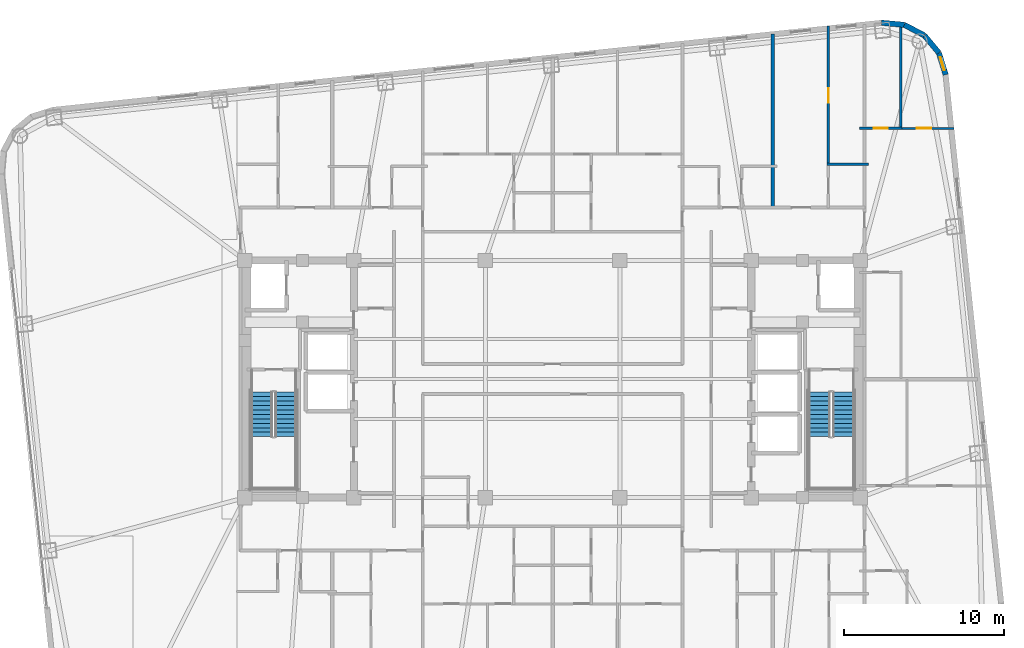
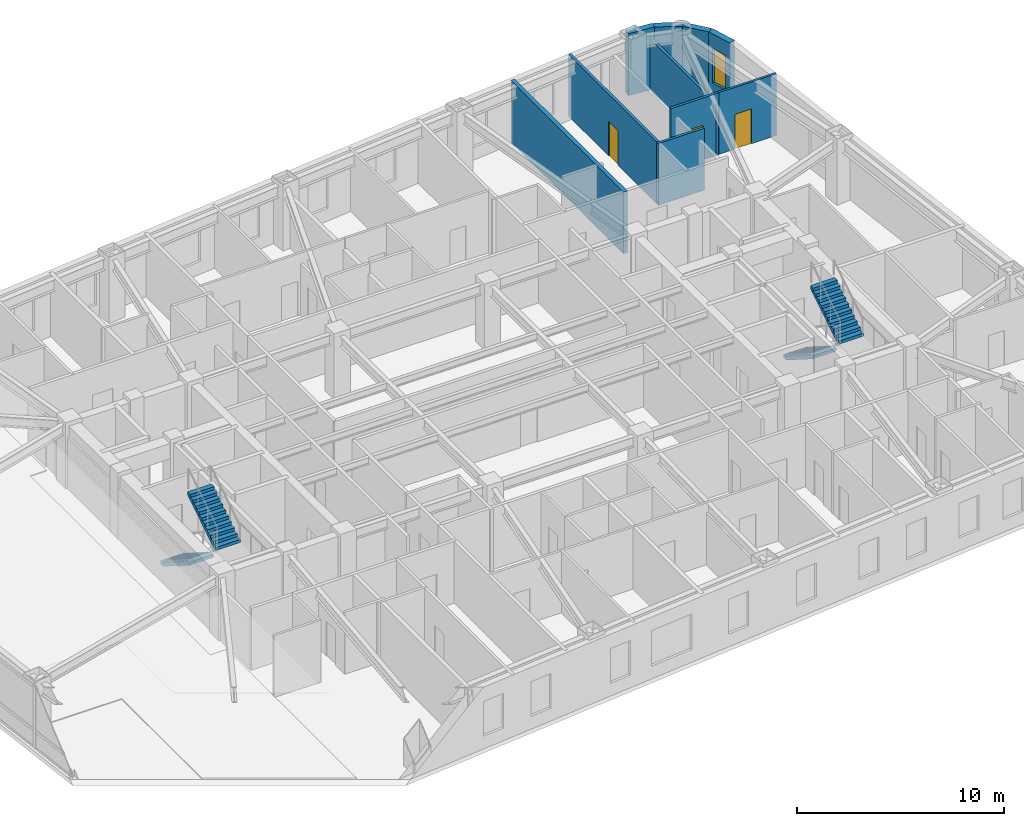
# One storey, part 12 of 15: 10 walls, 4 stair flights, 3 doors, 1 window, 4 openings, 2 elements without a shape of their own.
"""IFC4 building model written with IfcOpenShell, lengths in metres."""

from ifc_helpers import new_model, si_unit, direction, frame, frame_2d, origin, place, context, subcontext, project, spatial, polyline, rectangle, outline, extrude, material, layer, layer_set, type_object, element, fill, aggregate, save


model = new_model("IFC4")

# Units and contexts
model_context = context("Model", 3, precision=1e-05, world=origin(), true_north=direction((0.0, 1.0)))
body_context = subcontext(model_context, "Body", "Model", "MODEL_VIEW")
ifc_project = project(units=[si_unit("LENGTHUNIT", "METRE"), si_unit("AREAUNIT", "SQUARE_METRE"), si_unit("VOLUMEUNIT", "CUBIC_METRE"), si_unit("PLANEANGLEUNIT", "RADIAN"), si_unit("MASSUNIT", "GRAM", prefix="KILO")], contexts=[model_context])

# Site, building, storey
site_placement = place(None, origin())
site = spatial("IfcSite", under=ifc_project, at=site_placement, CompositionType="ELEMENT")
building_placement = place(site_placement, origin())
building = spatial("IfcBuilding", under=site, at=building_placement, Name="Voryun Gate Residences", CompositionType="ELEMENT")
storey_placement = place(building_placement, frame((0.0, 0.0, 148.199951171875)))
storey = spatial("IfcBuildingStorey", under=building, at=storey_placement, Name="L36", CompositionType="ELEMENT", Elevation=148.199951171875)

# Walls
ifc_material_1 = material(Name="Charcoal terracotta masonry", Category="masonry")
ifc_layer_1 = layer(ifc_material_1, 0.340087890625, Name="W_EXT_TERRACOTTA_340")
ifc_layer_set_1 = layer_set([ifc_layer_1], Name="Charcoal terracotta masonry")
wall_type_1 = type_object("IfcWallType", Name="W_EXT_TERRACOTTA_340", PredefinedType="ELEMENTEDWALL", material=ifc_layer_set_1)
wall_1_placement = place(storey_placement, frame((20.5263671875, 22.235107421875, 0.0), z_axis=(0.0, 0.0, 1.0), x_axis=(0.995800460351, -0.091550222087, 0.0)))
element("IfcWall", 1, at=wall_1_placement, inside=storey, type_object=wall_type_1, Name="Exterior wall WEXT-L36-12", PredefinedType="ELEMENTEDWALL", context=body_context, shape_type="SweptSolid", body=[
    extrude(rectangle(XDim=1.43212890625, YDim=0.340087890625, at=frame_2d((0.716064453125, 0.0))), origin(), (0.0, 0.0, 1.0), 3.650146484375),
])
wall_2_placement = place(storey_placement, frame((21.952392578125, 22.10400390625, 0.0), z_axis=(0.0, 0.0, 1.0), x_axis=(0.885023004245, -0.465547292933, 0.0)))
element("IfcWall", 2, at=wall_2_placement, inside=storey, type_object=wall_type_1, Name="Exterior wall WEXT-L36-13", PredefinedType="ELEMENTEDWALL", context=body_context, shape_type="SweptSolid", body=[
    extrude(rectangle(XDim=1.414794921875, YDim=0.340087890625, at=frame_2d((0.70751953125, 0.0))), origin(), (0.0, 0.0, 1.0), 3.650146484375),
])
wall_3_placement = place(storey_placement, frame((23.20458984375, 21.4453125, 0.0), z_axis=(0.0, 0.0, 1.0), x_axis=(0.639539337522, -0.768758372808, 0.0)))
element("IfcWall", 3, at=wall_3_placement, inside=storey, type_object=wall_type_1, Name="Exterior wall WEXT-L36-14", PredefinedType="ELEMENTEDWALL", context=body_context, shape_type="SweptSolid", body=[
    extrude(rectangle(XDim=1.4150390625, YDim=0.340087890625, at=frame_2d((0.70751953125, 0.0))), origin(), (0.0, 0.0, 1.0), 3.650146484375),
])

# Wall, opening, window
wall_4_placement = place(storey_placement, frame((24.109619140625, 20.357421875, 0.0), z_axis=(0.0, 0.0, 1.0), x_axis=(0.296420660287, -0.955057481074, 0.0)))
wall_4 = element("IfcWall", 4, at=wall_4_placement, inside=storey, type_object=wall_type_1, Name="Exterior wall WEXT-L36-15", PredefinedType="ELEMENTEDWALL", context=body_context, shape_type="SweptSolid", body=[
    extrude(rectangle(XDim=1.432373046875, YDim=0.340087890625, at=frame_2d((0.71630859375, 0.0))), origin(), (0.0, 0.0, 1.0), 3.650146484375),
])
opening_1_placement = place(wall_4_placement, frame((0.291015625, 0.0, 0.75)))
opening_1 = element("IfcOpeningElement", 5, at=opening_1_placement, cuts=wall_4, Name="Opening WN9", PredefinedType="OPENING", context=body_context, shape_type="SweptSolid", body=[
    extrude(rectangle(XDim=0.85009765625, YDim=2.050048828125, at=frame_2d((0.425048828125, 1.02490234375))), frame((0.0, 0.179931640625, 0.0), z_axis=(0.0, -1.0, 0.0), x_axis=(1.0, 0.0, 0.0)), (0.0, 0.0, 1.0), 0.360107421875),
])
ifc_material_2 = material(Name="Laminated low-E glass", Category="glass")
window_type = type_object("IfcWindowType", Name="WN_RES_CASEMENT_850", PartitioningType="SINGLE_PANEL", PredefinedType="WINDOW", material=ifc_material_2)
window_placement = place(opening_1_placement, origin())
window = element("IfcWindow", 6, at=window_placement, inside=storey, type_object=window_type, Name="Window WN-L36-DWFIX-21", OverallHeight=2.050048828125, OverallWidth=0.85009765625, PartitioningType="SINGLE_PANEL", PredefinedType="WINDOW", context=body_context, shape_type="SweptSolid", body=[
    extrude(rectangle(XDim=0.85009765625, YDim=2.050048828125, at=frame_2d((0.425048828125, 1.02490234375))), frame((0.0, 0.030029296875, 0.0), z_axis=(0.0, -1.0, 0.0), x_axis=(1.0, 0.0, 0.0)), (0.0, 0.0, 1.0), 0.06005859375),
])
fill(opening_1, window)

# Wall
ifc_material_3 = material(Name="Concrete C40/50", Category="concrete")
ifc_layer_2 = layer(ifc_material_3, 0.219970703125, Name="W_PARTY_ACOUSTIC_220")
ifc_layer_set_2 = layer_set([ifc_layer_2], Name="Concrete C40/50")
wall_type_2 = type_object("IfcWallType", Name="W_PARTY_ACOUSTIC_220", PredefinedType="PARTITIONING", material=ifc_layer_set_2)
wall_5_placement = place(storey_placement, frame((13.739990234375, 10.6201171875, 0.0), z_axis=(0.0, 0.0, 1.0), x_axis=(0.0, 1.0, 0.0)))
element("IfcWall", 7, at=wall_5_placement, inside=storey, type_object=wall_type_2, Name="Partition wall WP-L36-NPTY-4", PredefinedType="PARTITIONING", context=body_context, shape_type="SweptSolid", body=[
    extrude(rectangle(XDim=10.90185546875, YDim=0.219970703125, at=frame_2d((5.450927734375, 0.0))), origin(), (0.0, 0.0, 1.0), 3.650146484375),
])

# Wall, opening, door
ifc_material_4 = material(Name="Gypsum acoustic partition")
ifc_layer_3 = layer(ifc_material_4, 0.125, Name="W_UNIT_PART_125")
ifc_layer_set_3 = layer_set([ifc_layer_3], Name="Gypsum acoustic partition")
wall_type_3 = type_object("IfcWallType", Name="W_UNIT_PART_125", PredefinedType="PARTITIONING", material=ifc_layer_set_3)
wall_6_placement = place(storey_placement, frame((21.6689453125, 15.64208984375, 0.0), z_axis=(0.0, 0.0, 1.0), x_axis=(1.0, 0.0, 0.0)))
wall_6 = element("IfcWall", 8, at=wall_6_placement, inside=storey, type_object=wall_type_3, Name="Partition wall WP-L36-E2-OHZ", PredefinedType="PARTITIONING", context=body_context, shape_type="SweptSolid", body=[
    extrude(rectangle(XDim=3.367919921875, YDim=0.125, at=frame_2d((1.68408203125, 0.0))), origin(), (0.0, 0.0, 1.0), 3.650146484375),
])
opening_2_placement = place(wall_6_placement, frame((1.065673828125, 0.0, 0.0)))
opening_2 = element("IfcOpeningElement", 9, at=opening_2_placement, cuts=wall_6, Name="Opening D-INT-2", PredefinedType="OPENING", context=body_context, shape_type="SweptSolid", body=[
    extrude(rectangle(XDim=0.89990234375, YDim=2.050048828125, at=frame_2d((0.449951171875, 1.02490234375))), frame((0.0, 0.072509765625, 0.0), z_axis=(0.0, -1.0, 0.0), x_axis=(1.0, 0.0, 0.0)), (0.0, 0.0, 1.0), 0.14501953125),
])
ifc_material_5 = material(Name="Architectural oak veneer")
door_type = type_object("IfcDoorType", Name="DR_INT_BATH_900", OperationType="NOTDEFINED", PredefinedType="DOOR", material=ifc_material_5)
door_1_placement = place(opening_2_placement, origin())
door_1 = element("IfcDoor", 10, at=door_1_placement, inside=storey, type_object=door_type, Name="Door DR-L36-E2-DMB", OperationType="SINGLE_SWING_LEFT", OverallHeight=2.050048828125, OverallWidth=0.89990234375, PredefinedType="DOOR", context=body_context, shape_type="SweptSolid", body=[
    extrude(rectangle(XDim=0.89990234375, YDim=2.050048828125, at=frame_2d((0.449951171875, 1.02490234375))), frame((0.0, 0.02490234375, 0.0), z_axis=(0.0, -1.0, 0.0), x_axis=(1.0, 0.0, 0.0)), (0.0, 0.0, 1.0), 0.050048828125),
])
fill(opening_2, door_1)

# Wall
ifc_material_6 = material(Name="Gypsum moisture-resistant partition")
ifc_layer_4 = layer(ifc_material_6, 0.14990234375, Name="W_WET_PLUMB_150")
ifc_layer_set_4 = layer_set([ifc_layer_4], Name="Gypsum moisture-resistant partition")
wall_type_4 = type_object("IfcWallType", Name="W_WET_PLUMB_150", PredefinedType="PLUMBINGWALL", material=ifc_layer_set_4)
wall_7_placement = place(storey_placement, frame((17.135986328125, 13.39990234375, 0.0), z_axis=(0.0, 0.0, 1.0), x_axis=(1.0, 0.0, 0.0)))
element("IfcWall", 11, at=wall_7_placement, inside=storey, type_object=wall_type_4, Name="Partition wall WP-L36-N5-SKB", PredefinedType="PLUMBINGWALL", context=body_context, shape_type="SweptSolid", body=[
    extrude(rectangle(XDim=2.583984375, YDim=0.14990234375, at=frame_2d((1.2919921875, 0.0))), origin(), (0.0, 0.0, 1.0), 3.650146484375),
])

# Wall, opening, door
wall_8_placement = place(storey_placement, frame((17.216064453125, 13.360107421875, 0.0), z_axis=(0.0, 0.0, 1.0), x_axis=(0.0, 1.0, 0.0)))
wall_8 = element("IfcWall", 12, at=wall_8_placement, inside=storey, type_object=wall_type_4, Name="Partition wall WP-L36-N5-SVT2", PredefinedType="PLUMBINGWALL", context=body_context, shape_type="SweptSolid", body=[
    extrude(rectangle(XDim=8.677978515625, YDim=0.14990234375, at=frame_2d((4.3388671875, 0.0))), origin(), (0.0, 0.0, 1.0), 3.650146484375),
])
opening_3_placement = place(wall_8_placement, frame((3.88916015625, 0.0, 0.0)))
opening_3 = element("IfcOpeningElement", 13, at=opening_3_placement, cuts=wall_8, Name="Opening D-INT-2", PredefinedType="OPENING", context=body_context, shape_type="SweptSolid", body=[
    extrude(rectangle(XDim=0.89990234375, YDim=2.050048828125, at=frame_2d((0.449951171875, 1.02490234375))), frame((0.0, 0.0849609375, 0.0), z_axis=(0.0, -1.0, 0.0), x_axis=(1.0, 0.0, 0.0)), (0.0, 0.0, 1.0), 0.169921875),
])
door_2_placement = place(opening_3_placement, origin())
door_2 = element("IfcDoor", 14, at=door_2_placement, inside=storey, type_object=door_type, Name="Door DR-L36-N5-DK", OperationType="SINGLE_SWING_RIGHT", OverallHeight=2.050048828125, OverallWidth=0.89990234375, PredefinedType="DOOR", context=body_context, shape_type="SweptSolid", body=[
    extrude(rectangle(XDim=0.89990234375, YDim=2.050048828125, at=frame_2d((0.449951171875, 1.02490234375))), frame((0.0, 0.02490234375, 0.0), z_axis=(0.0, -1.0, 0.0), x_axis=(1.0, 0.0, 0.0)), (0.0, 0.0, 1.0), 0.050048828125),
])
fill(opening_3, door_2)

wall_9_placement = place(storey_placement, frame((19.14990234375, 15.64208984375, 0.0), z_axis=(0.0, 0.0, 1.0), x_axis=(1.0, 0.0, 0.0)))
wall_9 = element("IfcWall", 15, at=wall_9_placement, inside=storey, type_object=wall_type_4, Name="Partition wall WP-L36-E2-IBB", PredefinedType="PLUMBINGWALL", context=body_context, shape_type="SweptSolid", body=[
    extrude(rectangle(XDim=2.6591796875, YDim=0.14990234375, at=frame_2d((1.32958984375, 0.0))), origin(), (0.0, 0.0, 1.0), 3.650146484375),
])
opening_4_placement = place(wall_9_placement, frame((0.87939453125, 0.0, 0.0)))
opening_4 = element("IfcOpeningElement", 16, at=opening_4_placement, cuts=wall_9, Name="Opening D-INT-2", PredefinedType="OPENING", context=body_context, shape_type="SweptSolid", body=[
    extrude(rectangle(XDim=0.89990234375, YDim=2.050048828125, at=frame_2d((0.449951171875, 1.02490234375))), frame((0.0, 0.0849609375, 0.0), z_axis=(0.0, -1.0, 0.0), x_axis=(1.0, 0.0, 0.0)), (0.0, 0.0, 1.0), 0.169921875),
])
door_3_placement = place(opening_4_placement, origin())
door_3 = element("IfcDoor", 17, at=door_3_placement, inside=storey, type_object=door_type, Name="Door DR-L36-E2-DB", OperationType="SINGLE_SWING_RIGHT", OverallHeight=2.050048828125, OverallWidth=0.89990234375, PredefinedType="DOOR", context=body_context, shape_type="SweptSolid", body=[
    extrude(rectangle(XDim=0.89990234375, YDim=2.050048828125, at=frame_2d((0.449951171875, 1.02490234375))), frame((0.0, 0.02490234375, 0.0), z_axis=(0.0, -1.0, 0.0), x_axis=(1.0, 0.0, 0.0)), (0.0, 0.0, 1.0), 0.050048828125),
])
fill(opening_4, door_3)

# Wall
wall_10_placement = place(storey_placement, frame((21.72900390625, 15.56201171875, 0.0), z_axis=(0.0, 0.0, 1.0), x_axis=(0.0, 1.0, 0.0)))
element("IfcWall", 18, at=wall_10_placement, inside=storey, type_object=wall_type_4, Name="Partition wall WP-L36-E2-VTB", PredefinedType="PLUMBINGWALL", context=body_context, shape_type="SweptSolid", body=[
    extrude(rectangle(XDim=6.71337890625, YDim=0.14990234375, at=frame_2d((3.356689453125, 0.0))), origin(), (0.0, 0.0, 1.0), 3.0400390625),
])

# Stair, stair flights
ifc_material_7 = material(Name="Concrete C40/50", Category="concrete")
stair_type = type_object("IfcStairType", Name="STR_CORE_DOGLEG_1350", PredefinedType="HALF_TURN_STAIR", material=ifc_material_7)
stair_1_placement = place(storey_placement, origin())
stair_1 = element("IfcStair", 19, at=stair_1_placement, inside=storey, type_object=stair_type, Name="L36 Special Escape Stair ST-W1", PredefinedType="HALF_TURN_STAIR")
ifc_material_8 = material(Name="Concrete C40/50", Category="concrete")
stair_flight_type = type_object("IfcStairFlightType", Name="FLT_CORE_1350", PredefinedType="STRAIGHT", material=ifc_material_8)
stair_flight_1_placement = place(storey_placement, frame((-18.14990234375, -0.800048828125, 0.0), z_axis=(0.0, 0.0, 1.0), x_axis=(0.0, -1.0, 0.0)))
stair_flight_1 = element("IfcStairFlight", 20, at=stair_flight_1_placement, type_object=stair_flight_type, Name="ST-W1 flight 1", NumberOfRisers=11, NumberOfTreads=10, PredefinedType="STRAIGHT", RiserHeight=0.177272727, TreadLength=0.28, context=body_context, shape_type="SweptSolid", body=[
    extrude(outline(polyline([(0.0, 0.0), (0.0, 0.17724609375), (0.280029296875, 0.17724609375), (0.280029296875, 0.3544921875), (0.56005859375, 0.3544921875), (0.56005859375, 0.53173828125), (0.840087890625, 0.53173828125), (0.840087890625, 0.708984375), (1.1201171875, 0.708984375), (1.1201171875, 0.886474609375), (1.39990234375, 0.886474609375), (1.39990234375, 1.063720703125), (1.679931640625, 1.063720703125), (1.679931640625, 1.240966796875), (1.9599609375, 1.240966796875), (1.9599609375, 1.418212890625), (2.239990234375, 1.418212890625), (2.239990234375, 1.595458984375), (2.52001953125, 1.595458984375), (2.52001953125, 1.772705078125), (2.800048828125, 1.772705078125), (2.800048828125, 1.949951171875), (2.800048828125, 1.59521484375), (0.2802734375, 0.0), (0.0, 0.0)])), frame((0.0, 0.675048828125, 0.0), z_axis=(0.0, -1.0, 0.0), x_axis=(1.0, 0.0, 0.0)), (0.0, 0.0, 1.0), 1.35009765625),
])
stair_flight_2_placement = place(storey_placement, frame((-16.64990234375, -3.60009765625, 1.949951171875), z_axis=(0.0, 0.0, 1.0), x_axis=(0.0, 1.0, 0.0)))
stair_flight_2 = element("IfcStairFlight", 21, at=stair_flight_2_placement, type_object=stair_flight_type, Name="ST-W1 flight 2", NumberOfRisers=11, NumberOfTreads=10, PredefinedType="STRAIGHT", RiserHeight=0.177272727, TreadLength=0.28, context=body_context, shape_type="SweptSolid", body=[
    extrude(outline(polyline([(0.0, 0.0), (0.0, 0.17724609375), (0.280029296875, 0.17724609375), (0.280029296875, 0.3544921875), (0.56005859375, 0.3544921875), (0.56005859375, 0.53173828125), (0.840087890625, 0.53173828125), (0.840087890625, 0.708984375), (1.1201171875, 0.708984375), (1.1201171875, 0.886474609375), (1.39990234375, 0.886474609375), (1.39990234375, 1.063720703125), (1.679931640625, 1.063720703125), (1.679931640625, 1.240966796875), (1.9599609375, 1.240966796875), (1.9599609375, 1.418212890625), (2.239990234375, 1.418212890625), (2.239990234375, 1.595458984375), (2.52001953125, 1.595458984375), (2.52001953125, 1.772705078125), (2.800048828125, 1.772705078125), (2.800048828125, 1.949951171875), (2.800048828125, 1.59521484375), (0.2802734375, 0.0), (0.0, 0.0)])), frame((0.0, 0.675048828125, 0.0), z_axis=(0.0, -1.0, 0.0), x_axis=(1.0, 0.0, 0.0)), (0.0, 0.0, 1.0), 1.35009765625),
])
aggregate(stair_1, [stair_flight_1, stair_flight_2])

stair_2_placement = place(storey_placement, origin())
stair_2 = element("IfcStair", 22, at=stair_2_placement, inside=storey, type_object=stair_type, Name="L36 Special Escape Stair ST-E1", PredefinedType="HALF_TURN_STAIR")
stair_flight_3_placement = place(storey_placement, frame((16.64990234375, -0.800048828125, 0.0), z_axis=(0.0, 0.0, 1.0), x_axis=(0.0, -1.0, 0.0)))
stair_flight_3 = element("IfcStairFlight", 23, at=stair_flight_3_placement, type_object=stair_flight_type, Name="ST-E1 flight 1", NumberOfRisers=11, NumberOfTreads=10, PredefinedType="STRAIGHT", RiserHeight=0.177272727, TreadLength=0.28, context=body_context, shape_type="SweptSolid", body=[
    extrude(outline(polyline([(0.0, 0.0), (0.0, 0.17724609375), (0.280029296875, 0.17724609375), (0.280029296875, 0.3544921875), (0.56005859375, 0.3544921875), (0.56005859375, 0.53173828125), (0.840087890625, 0.53173828125), (0.840087890625, 0.708984375), (1.1201171875, 0.708984375), (1.1201171875, 0.886474609375), (1.39990234375, 0.886474609375), (1.39990234375, 1.063720703125), (1.679931640625, 1.063720703125), (1.679931640625, 1.240966796875), (1.9599609375, 1.240966796875), (1.9599609375, 1.418212890625), (2.239990234375, 1.418212890625), (2.239990234375, 1.595458984375), (2.52001953125, 1.595458984375), (2.52001953125, 1.772705078125), (2.800048828125, 1.772705078125), (2.800048828125, 1.949951171875), (2.800048828125, 1.59521484375), (0.2802734375, 0.0), (0.0, 0.0)])), frame((0.0, 0.675048828125, 0.0), z_axis=(0.0, -1.0, 0.0), x_axis=(1.0, 0.0, 0.0)), (0.0, 0.0, 1.0), 1.35009765625),
])
stair_flight_4_placement = place(storey_placement, frame((18.14990234375, -3.60009765625, 1.949951171875), z_axis=(0.0, 0.0, 1.0), x_axis=(0.0, 1.0, 0.0)))
stair_flight_4 = element("IfcStairFlight", 24, at=stair_flight_4_placement, type_object=stair_flight_type, Name="ST-E1 flight 2", NumberOfRisers=11, NumberOfTreads=10, PredefinedType="STRAIGHT", RiserHeight=0.177272727, TreadLength=0.28, context=body_context, shape_type="SweptSolid", body=[
    extrude(outline(polyline([(0.0, 0.0), (0.0, 0.17724609375), (0.280029296875, 0.17724609375), (0.280029296875, 0.3544921875), (0.56005859375, 0.3544921875), (0.56005859375, 0.53173828125), (0.840087890625, 0.53173828125), (0.840087890625, 0.708984375), (1.1201171875, 0.708984375), (1.1201171875, 0.886474609375), (1.39990234375, 0.886474609375), (1.39990234375, 1.063720703125), (1.679931640625, 1.063720703125), (1.679931640625, 1.240966796875), (1.9599609375, 1.240966796875), (1.9599609375, 1.418212890625), (2.239990234375, 1.418212890625), (2.239990234375, 1.595458984375), (2.52001953125, 1.595458984375), (2.52001953125, 1.772705078125), (2.800048828125, 1.772705078125), (2.800048828125, 1.949951171875), (2.800048828125, 1.59521484375), (0.2802734375, 0.0), (0.0, 0.0)])), frame((0.0, 0.675048828125, 0.0), z_axis=(0.0, -1.0, 0.0), x_axis=(1.0, 0.0, 0.0)), (0.0, 0.0, 1.0), 1.35009765625),
])
aggregate(stair_2, [stair_flight_3, stair_flight_4])

save(model, "model.ifc")
